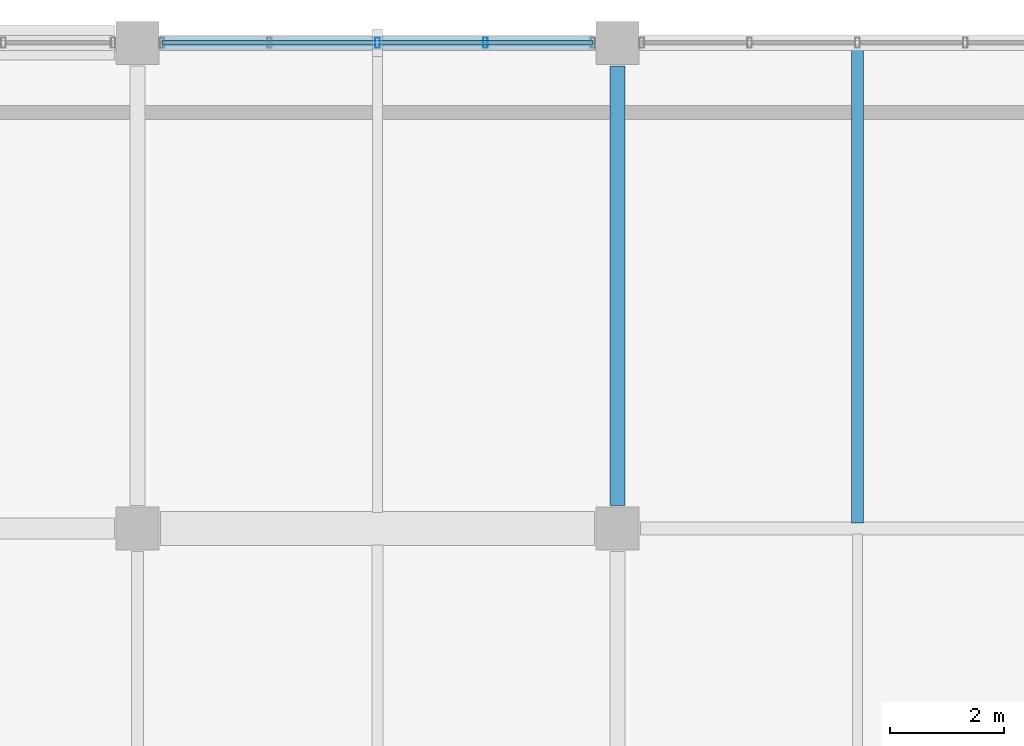
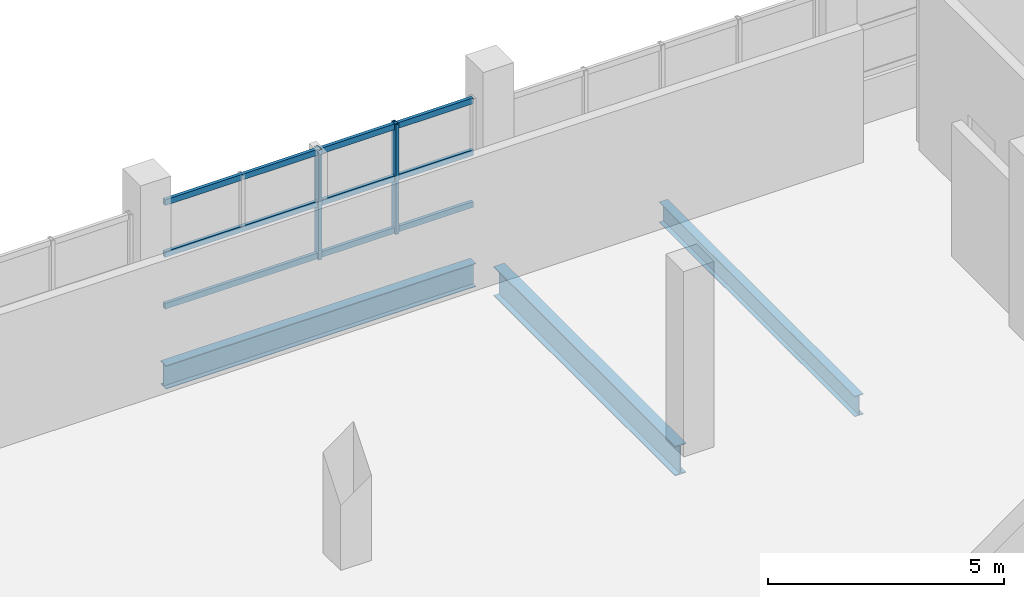
# One storey, part 79 of 117: 5 members, 3 beams, 1 element without a shape of its own.
"""IFC4 building model written with IfcOpenShell, lengths in metres."""

from ifc_helpers import new_model, si_unit, direction, frame, origin, origin_2d, place, context, subcontext, project, spatial, hollow_rectangle, i_section, extrude, material, material_profile, profile_set, type_object, element, aggregate, save


model = new_model("IFC4")

# Units and contexts
model_context = context("Model", 3, precision=1e-05, world=origin(), true_north=direction((0.0, 1.0)))
body_context = subcontext(model_context, "Body", "Model", "MODEL_VIEW")
ifc_project = project(units=[si_unit("LENGTHUNIT", "METRE"), si_unit("AREAUNIT", "SQUARE_METRE"), si_unit("VOLUMEUNIT", "CUBIC_METRE"), si_unit("PLANEANGLEUNIT", "RADIAN"), si_unit("MASSUNIT", "GRAM", prefix="KILO")], contexts=[model_context])

# Site, building, storey
site_placement = place(None, origin())
site = spatial("IfcSite", under=ifc_project, at=site_placement, CompositionType="ELEMENT")
building_placement = place(site_placement, origin())
building = spatial("IfcBuilding", under=site, at=building_placement, Name="Solvento Point Concert Hall", CompositionType="ELEMENT")
storey_placement = place(building_placement, frame((0.0, 0.0, 5.39990234375)))
storey = spatial("IfcBuildingStorey", under=building, at=storey_placement, Name="L01", CompositionType="ELEMENT", Elevation=5.39990234375)

# Beams
ifc_material_1 = material(Name="Structural Steel ASTM A992 Grade 50", Category="steel")
ifc_material_profile_1 = material_profile(ifc_material_1, i_section(OverallWidth=0.20947265625, OverallDepth=0.532958984375, WebThickness=0.01025390625, FlangeThickness=0.015625, at=origin_2d()), Name="W21X62")
ifc_profile_set_1 = profile_set([ifc_material_profile_1], Name="Structural Steel ASTM A992 Grade 50")
beam_type_1 = type_object("IfcBeamType", Name="Beam_W21X62", PredefinedType="BEAM", material=ifc_profile_set_1)
beam_1_placement = place(storey_placement, frame((53.39990234375, 127.59912109375, -0.55029296875), z_axis=(0.0, 1.0, 0.0), x_axis=(-1.0, 0.0, 0.0)))
element("IfcBeam", 1, at=beam_1_placement, inside=storey, type_object=beam_type_1, Name="Secondary floor joist B-25 L01", PredefinedType="BEAM", context=body_context, shape_type="SweptSolid", body=[
    extrude(i_section(OverallWidth=0.20947265625, OverallDepth=0.532958984375, WebThickness=0.01025390625, FlangeThickness=0.015625, at=origin_2d()), origin(), (0.0, 0.0, 1.0), 8.308837890625),
])
ifc_material_2 = material(Name="Structural Steel ASTM A992 Grade 50", Category="steel")
ifc_material_profile_2 = material_profile(ifc_material_2, i_section(OverallWidth=0.228515625, OverallDepth=0.60791015625, WebThickness=0.01123046875, FlangeThickness=0.017333984375, at=origin_2d()), Name="W24X76")
ifc_profile_set_2 = profile_set([ifc_material_profile_2], Name="Structural Steel ASTM A992 Grade 50")
beam_type_2 = type_object("IfcBeamType", Name="Beam_W24X76", PredefinedType="BEAM", material=ifc_profile_set_2)
beam_2_placement = place(storey_placement, frame((41.2041015625, 136.0, -0.587890625), z_axis=(1.0, 0.0, 0.0), x_axis=(0.0, 1.0, 0.0)))
element("IfcBeam", 2, at=beam_2_placement, inside=storey, type_object=beam_type_2, Name="Primary girder B-42 L01", PredefinedType="BEAM", context=body_context, shape_type="SweptSolid", body=[
    extrude(i_section(OverallWidth=0.228515625, OverallDepth=0.60791015625, WebThickness=0.01123046875, FlangeThickness=0.017333984375, at=origin_2d()), origin(), (0.0, 0.0, 1.0), 7.591796875),
])
ifc_material_3 = material(Name="Structural Steel ASTM A992 Grade 50", Category="steel")
ifc_material_profile_3 = material_profile(ifc_material_3, i_section(OverallWidth=0.26806640625, OverallDepth=0.77001953125, WebThickness=0.015625, FlangeThickness=0.025390625, at=origin_2d()), Name="W30X132")
ifc_profile_set_3 = profile_set([ifc_material_profile_3], Name="Structural Steel ASTM A992 Grade 50")
beam_type_3 = type_object("IfcBeamType", Name="Girder_W30X132", PredefinedType="USERDEFINED", material=ifc_profile_set_3)
beam_3_placement = place(storey_placement, frame((49.199951171875, 127.904052734375, -0.6689453125), z_axis=(0.0, 1.0, 0.0), x_axis=(-1.0, 0.0, 0.0)))
element("IfcBeam", 3, at=beam_3_placement, inside=storey, type_object=beam_type_3, Name="Primary girder B-68 L01", ObjectType="GIRDER", PredefinedType="USERDEFINED", context=body_context, shape_type="SweptSolid", body=[
    extrude(i_section(OverallWidth=0.26806640625, OverallDepth=0.77001953125, WebThickness=0.015625, FlangeThickness=0.025390625, at=origin_2d()), origin(), (0.0, 0.0, 1.0), 7.69189453125),
])

# Curtain wall, members
ifc_material_4 = material(Name="Anodized Bronze Aluminium", Category="aluminium")
curtain_wall_type = type_object("IfcCurtainWallType", Name="CurtainWall_CourtPilotis", PredefinedType="USERDEFINED", material=ifc_material_4)
curtain_wall_placement = place(storey_placement, origin())
curtain_wall = element("IfcCurtainWall", 4, at=curtain_wall_placement, inside=storey, type_object=curtain_wall_type, Name="Unitised curtain wall CW-96 UCW-L01-128", ObjectType="UNITISED CURTAIN WALL", PredefinedType="USERDEFINED")
ifc_material_5 = material(Name="Anodized Bronze Aluminium", Category="aluminium")
ifc_material_profile_4 = material_profile(ifc_material_5, hollow_rectangle(XDim=0.080078125, YDim=0.179931640625, WallThickness=0.00390625, at=origin_2d()), Name="CW-MUL-80X180")
ifc_profile_set_4 = profile_set([ifc_material_profile_4], Name="Anodized Bronze Aluminium")
member_type_1 = type_object("IfcMemberType", Name="Mullion_80x180", PredefinedType="MULLION", material=ifc_profile_set_4)
member_1_placement = place(storey_placement, frame((45.0, 136.0, 1.1201171875), z_axis=(0.0, 0.0, 1.0), x_axis=(1.0, 0.0, 0.0)))
member_1 = element("IfcMember", 5, at=member_1_placement, type_object=member_type_1, Name="Curtain wall mullion ML-01", PredefinedType="MULLION", context=body_context, shape_type="SweptSolid", body=[
    extrude(hollow_rectangle(XDim=0.080078125, YDim=0.179931640625, WallThickness=0.00390625, at=origin_2d()), origin(), (0.0, 0.0, 1.0), 2.844970703125),
])
member_2_placement = place(storey_placement, frame((46.887451171875, 136.0, 1.1201171875), z_axis=(0.0, 0.0, 1.0), x_axis=(1.0, 0.0, 0.0)))
member_2 = element("IfcMember", 6, at=member_2_placement, type_object=member_type_1, Name="Curtain wall mullion ML-01", PredefinedType="MULLION", context=body_context, shape_type="SweptSolid", body=[
    extrude(hollow_rectangle(XDim=0.080078125, YDim=0.179931640625, WallThickness=0.00390625, at=origin_2d()), origin(), (0.0, 0.0, 1.0), 2.844970703125),
])
ifc_material_6 = material(Name="Anodized Bronze Aluminium", Category="aluminium")
ifc_material_profile_5 = material_profile(ifc_material_6, hollow_rectangle(XDim=0.080078125, YDim=0.14990234375, WallThickness=0.00390625, at=origin_2d()), Name="CW-TRN-80X150")
ifc_profile_set_5 = profile_set([ifc_material_profile_5], Name="Anodized Bronze Aluminium")
member_type_2 = type_object("IfcMemberType", Name="Transom_80x150", PredefinedType="USERDEFINED", material=ifc_profile_set_5)
member_3_placement = place(storey_placement, frame((41.22509765625, 136.0, 1.2001953125), z_axis=(1.0, 0.0, 0.0), x_axis=(0.0, 1.0, 0.0)))
member_3 = element("IfcMember", 7, at=member_3_placement, type_object=member_type_2, Name="Curtain wall transom TR-01", ObjectType="TRANSOM", PredefinedType="USERDEFINED", context=body_context, shape_type="SweptSolid", body=[
    extrude(hollow_rectangle(XDim=0.080078125, YDim=0.14990234375, WallThickness=0.00390625, at=origin_2d()), origin(), (0.0, 0.0, 1.0), 7.5498046875),
])
member_4_placement = place(storey_placement, frame((41.22509765625, 136.0, 2.54248046875), z_axis=(1.0, 0.0, 0.0), x_axis=(0.0, 1.0, 0.0)))
member_4 = element("IfcMember", 8, at=member_4_placement, type_object=member_type_2, Name="Curtain wall transom TR-01", ObjectType="TRANSOM", PredefinedType="USERDEFINED", context=body_context, shape_type="SweptSolid", body=[
    extrude(hollow_rectangle(XDim=0.080078125, YDim=0.14990234375, WallThickness=0.00390625, at=origin_2d()), origin(), (0.0, 0.0, 1.0), 7.5498046875),
])
member_5_placement = place(storey_placement, frame((41.22509765625, 136.0, 3.885009765625), z_axis=(1.0, 0.0, 0.0), x_axis=(0.0, 1.0, 0.0)))
member_5 = element("IfcMember", 9, at=member_5_placement, type_object=member_type_2, Name="Curtain wall transom TR-01", ObjectType="TRANSOM", PredefinedType="USERDEFINED", context=body_context, shape_type="SweptSolid", body=[
    extrude(hollow_rectangle(XDim=0.080078125, YDim=0.14990234375, WallThickness=0.00390625, at=origin_2d()), origin(), (0.0, 0.0, 1.0), 7.5498046875),
])
aggregate(curtain_wall, [member_1, member_2, member_3, member_4, member_5])

save(model, "model.ifc")
